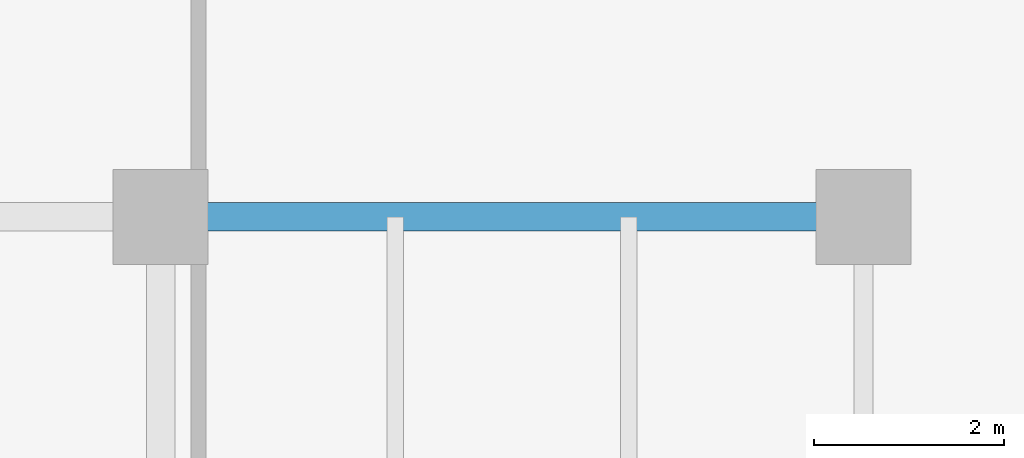
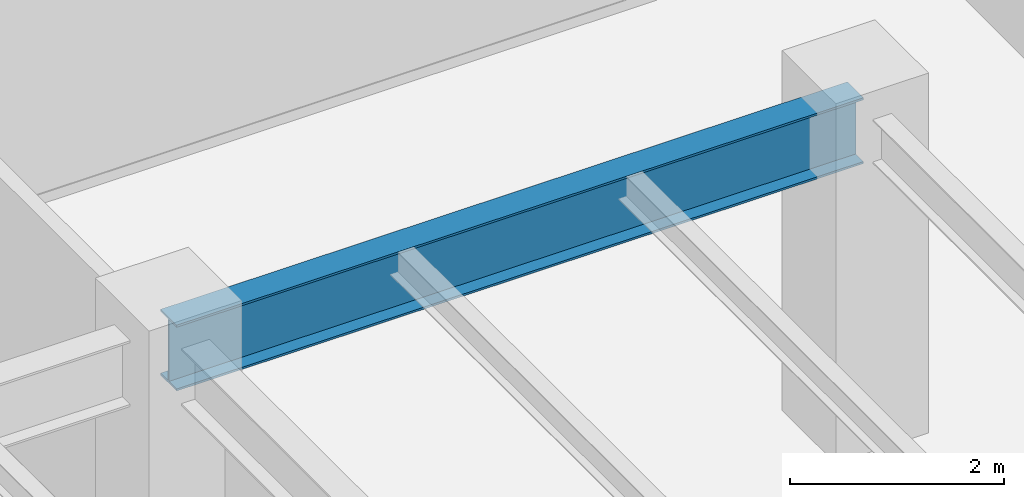
# One storey, part 21 of 35: 1 beam.
"""IFC4 building model written with IfcOpenShell, lengths in metres."""

from ifc_helpers import new_model, si_unit, direction, frame, origin, origin_2d, place, context, subcontext, project, spatial, i_section, extrude, source, transform, mapped, material, material_profile, profile_set, type_object, type_shapes, element, save


model = new_model("IFC4")

# Units and contexts
model_context = context("Model", 3, precision=1e-05, world=origin(), true_north=direction((0.0, 1.0)))
body_context = subcontext(model_context, "Body", "Model", "MODEL_VIEW")
ifc_project = project(units=[si_unit("LENGTHUNIT", "METRE"), si_unit("AREAUNIT", "SQUARE_METRE"), si_unit("VOLUMEUNIT", "CUBIC_METRE"), si_unit("PLANEANGLEUNIT", "RADIAN"), si_unit("MASSUNIT", "GRAM", prefix="KILO")], contexts=[model_context])

# Site, building, storey
site_placement = place(None, origin())
site = spatial("IfcSite", under=ifc_project, at=site_placement, CompositionType="ELEMENT")
building_placement = place(site_placement, origin())
building = spatial("IfcBuilding", under=site, at=building_placement, Name="Haelvirn Gate Laboratories", CompositionType="ELEMENT")
storey_placement = place(building_placement, frame((0.0, 0.0, 70.300048828125)))
storey = spatial("IfcBuildingStorey", under=building, at=storey_placement, Name="L17", CompositionType="ELEMENT", Elevation=70.300048828125)

# Beam
ifc_material = material(Name="Steel SM355", Category="steel")
ifc_material_profile = material_profile(ifc_material, i_section(OverallWidth=0.300048828125, OverallDepth=0.75, WebThickness=0.013916015625, FlangeThickness=0.02392578125, at=origin_2d()), Name="H-750x300x14x24")
ifc_profile_set = profile_set([ifc_material_profile], Name="Steel SM355")
beam_type = type_object("IfcBeamType", Name="BM-G-750", PredefinedType="BEAM", material=ifc_profile_set)
shared_shape = source(origin(), body_context, "Body", "SweptSolid", [
    extrude(i_section(OverallWidth=0.300048828125, OverallDepth=0.75, WebThickness=0.013916015625, FlangeThickness=0.02392578125, at=origin_2d()), origin(), (0.0, 0.0, 1.0), 7.39990234375),
])
type_shapes(beam_type, [shared_shape])
beam_placement = place(storey_placement, frame((60.0, 41.60009765625, 3.405029296875), z_axis=(1.0, 0.0, 0.0), x_axis=(0.0, 1.0, 0.0)))
element("IfcBeam", 1, at=beam_placement, inside=storey, type_object=beam_type, Name="L17 Primary Girder Y41.6 (60.0-67.4)", PredefinedType="BEAM", context=body_context, shape_type="MappedRepresentation", body=[
    mapped(shared_shape, transform((0.0, 0.0, 0.0), scale=1.0)),
])

save(model, "model.ifc")
